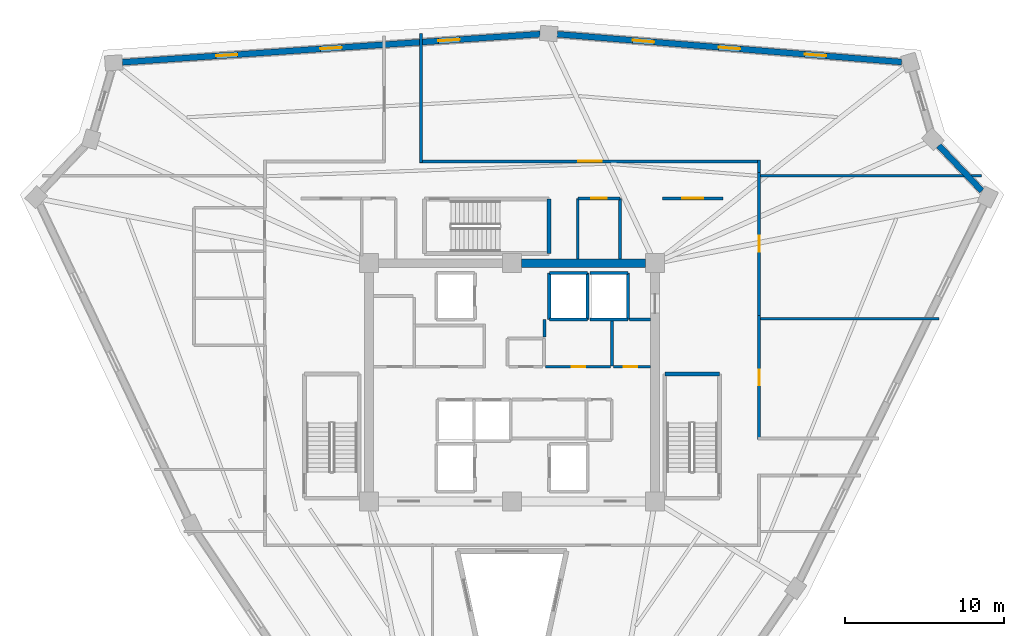
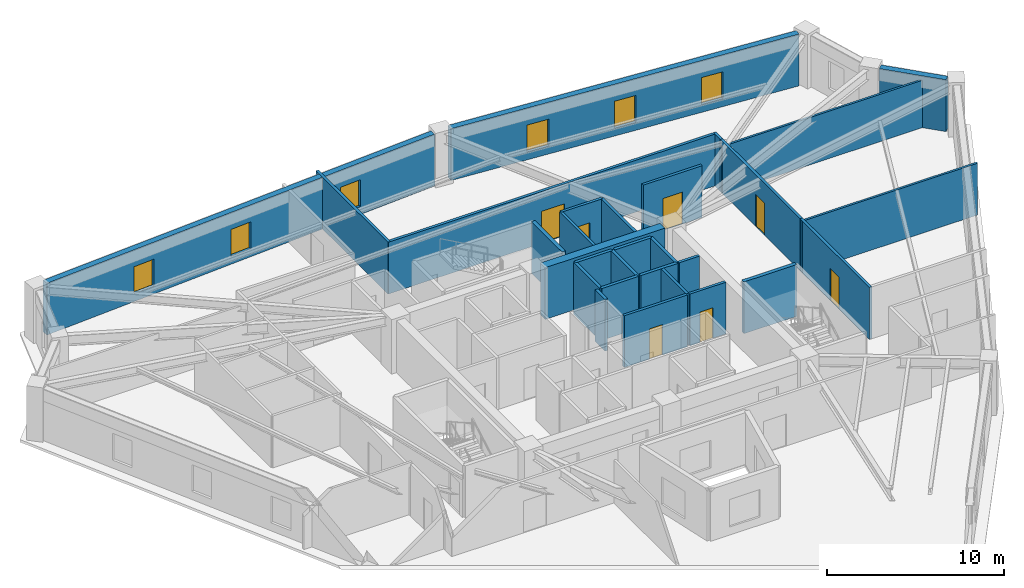
# One storey, part 6 of 8: 29 walls, 7 doors, 6 windows, 13 openings.
"""IFC4 building model written with IfcOpenShell, lengths in metres."""

import ifcopenshell
import ifcopenshell.guid

model = None  # the IFC model being written
_history = None  # IfcOwnerHistory: only IFC2X3 demands one
_inside = {}  # id of a spatial element -> (the spatial element, [elements in it])
_under = {}  # id of a project, library or spatial element -> (it, [spatial elements below it])
_declared = {}  # id of a project -> (the project, [libraries it declares])
_typed = {}  # id of a type object -> (the type object, [elements of that type])
_made_of = {}  # id of a material, layer set ... -> (it, [elements and type objects made of it])


def new_model(schema):
    """Start an empty IFC model of exactly this schema.

    Asked for "IFC4X3", IfcOpenShell would pick the latest addendum, in which some entities
    have other attributes; the version numbers below select the first issue.
    IFC2X3 requires an IfcOwnerHistory on every rooted entity: one is made here for all.
    """
    global model, _history
    if schema == "IFC4X3":
        model = ifcopenshell.file(schema_version=(4, 3, 0, 0))
    else:
        model = ifcopenshell.file(schema=schema)
    _inside.clear()
    _under.clear()
    _declared.clear()
    _typed.clear()
    _made_of.clear()
    _history = None
    if model.schema == "IFC2X3":
        org = make("IfcOrganization", Name="unknown")
        user = make(
            "IfcPersonAndOrganization",
            ThePerson=make("IfcPerson", FamilyName="unknown"),
            TheOrganization=org,
        )
        app = make(
            "IfcApplication",
            ApplicationDeveloper=org,
            Version="unknown",
            ApplicationFullName="unknown",
            ApplicationIdentifier="unknown",
        )
        _history = make(
            "IfcOwnerHistory",
            OwningUser=user,
            OwningApplication=app,
            ChangeAction="ADDED",
            CreationDate=0,
        )
    return model


def make(cls, **values):
    """One entity of the class cls with the attributes given. An attribute that is None is left unset."""
    return model.create_entity(
        cls, **{name: value for name, value in values.items() if value is not None}
    )


def rooted(cls, **values):
    """An entity with a GlobalId (a new one), such as an element, a storey or a relation."""
    return make(cls, GlobalId=ifcopenshell.guid.new(), OwnerHistory=_history, **values)


def si_unit(unit_type, name, prefix=None):
    """IfcSIUnit, for example si_unit("LENGTHUNIT", "METRE", prefix="MILLI")."""
    return make("IfcSIUnit", UnitType=unit_type, Prefix=prefix, Name=name)


def assignment(units):
    """IfcUnitAssignment: the units of a project."""
    return None if units is None else make("IfcUnitAssignment", Units=units)


def point(xyz):
    """IfcCartesianPoint."""
    return None if xyz is None else make("IfcCartesianPoint", Coordinates=xyz)


def direction(xyz):
    """IfcDirection."""
    return None if xyz is None else make("IfcDirection", DirectionRatios=xyz)


def frame(location, z_axis=None, x_axis=None):
    """IfcAxis2Placement3D, a coordinate frame: its origin and axes. An axis left out is left unset."""
    return make(
        "IfcAxis2Placement3D",
        Location=point(location),
        Axis=direction(z_axis),
        RefDirection=direction(x_axis),
    )


def frame_2d(location, x_axis=None):
    """IfcAxis2Placement2D, a coordinate frame in the plane: its origin and x axis."""
    return make(
        "IfcAxis2Placement2D", Location=point(location), RefDirection=direction(x_axis)
    )


def origin():
    """The frame at (0, 0, 0) with its axes left unset."""
    return frame((0.0, 0.0, 0.0))


def place(relative_to, where):
    """IfcLocalPlacement: puts the frame where relative to a parent placement (None: the world)."""
    return make(
        "IfcLocalPlacement", PlacementRelTo=relative_to, RelativePlacement=where
    )


def context(
    kind, dimensions, precision=None, world=None, true_north=None, identifier=None
):
    """IfcGeometricRepresentationContext, for example the 3D "Model" context."""
    return make(
        "IfcGeometricRepresentationContext",
        ContextIdentifier=identifier,
        ContextType=kind,
        CoordinateSpaceDimension=dimensions,
        Precision=precision,
        WorldCoordinateSystem=world,
        TrueNorth=true_north,
    )


def subcontext(parent, identifier, kind, view, scale=None):
    """IfcGeometricRepresentationSubContext, for example "Body" below "Model"."""
    return make(
        "IfcGeometricRepresentationSubContext",
        ContextIdentifier=identifier,
        ContextType=kind,
        ParentContext=parent,
        TargetScale=scale,
        TargetView=view,
    )


def project(units=None, contexts=None):
    """IfcProject with its units and contexts."""
    return rooted(
        "IfcProject",
        Name="project",
        RepresentationContexts=contexts,
        UnitsInContext=assignment(units),
    )


def spatial(cls, under=None, at=None, **own):
    """A site, building, storey or space (cls), placed at a placement, below another one or the project."""
    s = rooted(cls, ObjectPlacement=at, **own)
    if under is not None:
        _under.setdefault(under.id(), (under, []))[1].append(s)
    return s


def profile(cls, at=None, kind="AREA", **sizes):
    """A parametric profile (cls). Its sizes go by their IFC names, for example OverallWidth=200.0."""
    return make(cls, ProfileType=kind, Position=at, **sizes)


def rectangle(**sizes):
    """IfcRectangleProfileDef."""
    return profile("IfcRectangleProfileDef", **sizes)


def extrude(swept, where, along, depth):
    """IfcExtrudedAreaSolid: the profile swept, set in the frame where, extruded along a direction by depth."""
    return make(
        "IfcExtrudedAreaSolid",
        SweptArea=swept,
        Position=where,
        ExtrudedDirection=direction(along),
        Depth=depth,
    )


def shape(context_of_items, identifier, shape_type, items):
    """IfcShapeRepresentation: the items that make up one representation, for example the "Body"."""
    return make(
        "IfcShapeRepresentation",
        ContextOfItems=context_of_items,
        RepresentationIdentifier=identifier,
        RepresentationType=shape_type,
        Items=items,
    )


def source(mapping_origin, context_of_items, identifier, shape_type, items):
    """IfcRepresentationMap: a shape defined once, which mapped items show again and again."""
    return make(
        "IfcRepresentationMap",
        MappingOrigin=mapping_origin,
        MappedRepresentation=shape(context_of_items, identifier, shape_type, items),
    )


def transform(
    local_origin,
    x_axis=None,
    y_axis=None,
    z_axis=None,
    scale=None,
    scale2=None,
    scale3=None,
    uniform=True,
):
    """IfcCartesianTransformationOperator3D, or its non-uniform kind. x_axis, y_axis, z_axis: its Axis1, 2, 3."""
    if uniform:
        return make(
            "IfcCartesianTransformationOperator3D",
            Axis1=direction(x_axis),
            Axis2=direction(y_axis),
            LocalOrigin=point(local_origin),
            Scale=scale,
            Axis3=direction(z_axis),
        )
    return make(
        "IfcCartesianTransformationOperator3DnonUniform",
        Axis1=direction(x_axis),
        Axis2=direction(y_axis),
        LocalOrigin=point(local_origin),
        Scale=scale,
        Axis3=direction(z_axis),
        Scale2=scale2,
        Scale3=scale3,
    )


def mapped(mapping_source, mapping_target):
    """IfcMappedItem: shows the shape of a source again, moved by a transform."""
    return make(
        "IfcMappedItem", MappingSource=mapping_source, MappingTarget=mapping_target
    )


def material(Name=None, Category=None):
    """IfcMaterial."""
    return make("IfcMaterial", Name=Name, Category=Category)


def layer(
    of_material, thickness, ventilated=None, Name=None, Category=None, Priority=None
):
    """IfcMaterialLayer: one layer of a wall or slab, of a material (None: an air gap)."""
    return make(
        "IfcMaterialLayer",
        Material=of_material,
        LayerThickness=thickness,
        IsVentilated=ventilated,
        Name=Name,
        Category=Category,
        Priority=Priority,
    )


def layer_set(layers, Name=None):
    """IfcMaterialLayerSet."""
    return make("IfcMaterialLayerSet", MaterialLayers=layers, LayerSetName=Name)


def made_of(thing, what):
    """Note that an element or type object is made of a material, layer set ...; save() writes the relation."""
    if what is not None:
        _made_of.setdefault(what.id(), (what, []))[1].append(thing)
    return thing


def type_object(cls, material=None, **own):
    """A type object (cls), such as IfcWallType, which elements share."""
    return made_of(rooted(cls, **own), material)


def element(
    cls,
    number,
    at=None,
    inside=None,
    cuts=None,
    type_object=None,
    material=None,
    context=None,
    identifier="Body",
    shape_type=None,
    held_by="IfcProductDefinitionShape",
    body=None,
    shapes=None,
    **own,
):
    """One element of the class cls, such as IfcWall. Its Tag is "e" and its number.

    at: its placement. inside: the storey or other place that contains it. cuts: it is an
    opening in that element (IfcRelVoidsElement). A single representation is given by context,
    identifier, shape_type and body (its items); several are given by shapes. held_by: the class
    of the entity that holds the representations. save() writes the other relations.
    """
    e = rooted(cls, Tag="e%d" % number, ObjectPlacement=at, **own)
    if body is not None:
        shapes = [shape(context, identifier, shape_type, body)]
    if shapes is not None:
        e.Representation = make(held_by, Representations=shapes)
    if inside is not None:
        _inside.setdefault(inside.id(), (inside, []))[1].append(e)
    if cuts is not None:
        rooted(
            "IfcRelVoidsElement", RelatingBuildingElement=cuts, RelatedOpeningElement=e
        )
    if type_object is not None:
        _typed.setdefault(type_object.id(), (type_object, []))[1].append(e)
    return made_of(e, material)


def fill(opening, filler):
    """IfcRelFillsElement: the door or window that sits in an opening."""
    return rooted(
        "IfcRelFillsElement",
        RelatingOpeningElement=opening,
        RelatedBuildingElement=filler,
    )


def aggregate(whole, parts):
    """IfcRelAggregates: a whole, such as a stair, and the parts it consists of."""
    return rooted("IfcRelAggregates", RelatingObject=whole, RelatedObjects=parts)


def save(model, path):
    """Write the relations noted so far, then the file.

    IfcRelAggregates (storeys below a building ...), IfcRelContainedInSpatialStructure (elements
    in a storey), IfcRelDefinesByType, IfcRelAssociatesMaterial and IfcRelDeclares: one each for
    every whole, place, type object, material and project.
    """
    for whole, parts in _under.values():
        aggregate(whole, parts)
    for where, things in _inside.values():
        rooted(
            "IfcRelContainedInSpatialStructure",
            RelatedElements=things,
            RelatingStructure=where,
        )
    for kind, things in _typed.values():
        rooted("IfcRelDefinesByType", RelatedObjects=things, RelatingType=kind)
    for what, things in _made_of.values():
        rooted("IfcRelAssociatesMaterial", RelatedObjects=things, RelatingMaterial=what)
    for by, libraries in _declared.values():
        rooted("IfcRelDeclares", RelatingContext=by, RelatedDefinitions=libraries)
    model.write(path)


model = new_model("IFC4")

# Units and contexts
model_context = context("Model", 3, precision=1e-05, world=origin(), true_north=direction((0.0, 1.0)))
body_context = subcontext(model_context, "Body", "Model", "MODEL_VIEW")
ifc_project = project(units=[si_unit("LENGTHUNIT", "METRE"), si_unit("AREAUNIT", "SQUARE_METRE"), si_unit("VOLUMEUNIT", "CUBIC_METRE"), si_unit("PLANEANGLEUNIT", "RADIAN"), si_unit("MASSUNIT", "GRAM", prefix="KILO")], contexts=[model_context])

# Site, building, storey
site_placement = place(None, origin())
site = spatial("IfcSite", under=ifc_project, at=site_placement, CompositionType="ELEMENT")
building_placement = place(site_placement, origin())
building = spatial("IfcBuilding", under=site, at=building_placement, Name="Liaohun Quay Tower", CompositionType="ELEMENT")
storey_placement = place(building_placement, frame((0.0, 0.0, 316.5)))
storey = spatial("IfcBuildingStorey", under=building, at=storey_placement, Name="L82", CompositionType="ELEMENT", Elevation=316.5)

# Walls
ifc_material_1 = material(Name="Concrete C50", Category="concrete")
ifc_layer_1 = layer(ifc_material_1, 0.550048828125, Name="Concrete C50", Category="concrete")
ifc_layer_set_1 = layer_set([ifc_layer_1], Name="Concrete C50")
wall_type_1 = type_object("IfcWallType", Name="WAL-COR-Z4", PredefinedType="SHEAR", material=ifc_layer_set_1)
wall_1_placement = place(storey_placement, frame((60.60009765625, 61.5, 0.0), z_axis=(0.0, 0.0, 1.0), x_axis=(1.0, 0.0, 0.0)))
element("IfcWall", 1, at=wall_1_placement, inside=storey, type_object=wall_type_1, Name="L82 Central Core Shear Wall N-E", PredefinedType="SHEAR", context=body_context, shape_type="SweptSolid", body=[
    extrude(rectangle(XDim=7.7998046875, YDim=0.550048828125, at=frame_2d((3.89990234375, 0.0))), origin(), (0.0, 0.0, 1.0), 3.570068359375),
])
ifc_material_2 = material(Name="Precast concrete C50 insulated sandwich", Category="concrete")
ifc_layer_2 = layer(ifc_material_2, 0.3798828125, Name="Precast concrete C50 insulated sandwich", Category="concrete")
ifc_layer_set_2 = layer_set([ifc_layer_2], Name="Precast concrete C50 insulated sandwich")
wall_type_2 = type_object("IfcWallType", Name="WAL-EXT-Z34", PredefinedType="SOLIDWALL", material=ifc_layer_set_2)
wall_2_placement = place(storey_placement, frame((89.580078125, 66.052001953125, 0.0), z_axis=(0.0, 0.0, 1.0), x_axis=(-0.689378051653, 0.724401754484, 0.0)))
element("IfcWall", 2, at=wall_2_placement, inside=storey, type_object=wall_type_2, Name="L82 Brutalist Precast Pier Wall 04", PredefinedType="SOLIDWALL", context=body_context, shape_type="SweptSolid", body=[
    extrude(rectangle(XDim=3.9384765625, YDim=0.3798828125, at=frame_2d((1.96923828125, 0.0))), origin(), (0.0, 0.0, 1.0), 3.570068359375),
])

# Wall, openings, windows
wall_3_placement = place(storey_placement, frame((84.534912109375, 74.159912109375, 0.0), z_axis=(0.0, 0.0, 1.0), x_axis=(-0.996748682723, 0.080573342308, 0.0)))
wall_3 = element("IfcWall", 3, at=wall_3_placement, inside=storey, type_object=wall_type_2, Name="L82 Brutalist Precast Pier Wall 06", PredefinedType="SOLIDWALL", context=body_context, shape_type="SweptSolid", body=[
    extrude(rectangle(XDim=21.7587890625, YDim=0.3798828125, at=frame_2d((10.87939453125, 0.0))), origin(), (0.0, 0.0, 1.0), 3.570068359375),
])
shared_shape_1 = source(origin(), body_context, "Body", "SweptSolid", [
    extrude(rectangle(XDim=1.35009765625, YDim=1.85009765625, at=frame_2d((0.675048828125, 0.925048828125))), frame((0.0, 0.199951171875, 0.0), z_axis=(0.0, -1.0, 0.0), x_axis=(1.0, 0.0, 0.0)), (0.0, 0.0, 1.0), 0.39990234375),
])
opening_1_placement = place(wall_3_placement, frame((4.764892578125, 0.0, 0.550048828125)))
opening_1 = element("IfcOpeningElement", 4, at=opening_1_placement, cuts=wall_3, Name="Opening W04", PredefinedType="OPENING", context=body_context, shape_type="MappedRepresentation", body=[
    mapped(shared_shape_1, transform((0.0, 0.0, 0.0), x_axis=(1.0, 0.0, 0.0), y_axis=(0.0, 1.0, 0.0), z_axis=(0.0, 0.0, 1.0), scale=1.0)),
])
opening_2_placement = place(wall_3_placement, frame((10.2041015625, 0.0, 0.550048828125)))
opening_2 = element("IfcOpeningElement", 5, at=opening_2_placement, cuts=wall_3, Name="Opening W04", PredefinedType="OPENING", context=body_context, shape_type="MappedRepresentation", body=[
    mapped(shared_shape_1, transform((0.0, 0.0, 0.0), x_axis=(1.0, 0.0, 0.0), y_axis=(0.0, 1.0, 0.0), z_axis=(0.0, 0.0, 1.0), scale=1.0)),
])
opening_3_placement = place(wall_3_placement, frame((15.64404296875, 0.0, 0.550048828125)))
opening_3 = element("IfcOpeningElement", 6, at=opening_3_placement, cuts=wall_3, Name="Opening W04", PredefinedType="OPENING", context=body_context, shape_type="MappedRepresentation", body=[
    mapped(shared_shape_1, transform((0.0, 0.0, 0.0), x_axis=(1.0, 0.0, 0.0), y_axis=(0.0, 1.0, 0.0), z_axis=(0.0, 0.0, 1.0), scale=1.0)),
])
ifc_material_3 = material(Name="Triple Low-E argon glazing in thermally broken aluminium", Category="aluminium")
window_type = type_object("IfcWindowType", Name="WIN-PUN-Z4", PartitioningType="SINGLE_PANEL", PredefinedType="WINDOW", material=ifc_material_3)
shared_shape_2 = source(origin(), body_context, "Body", "SweptSolid", [
    extrude(rectangle(XDim=1.35009765625, YDim=1.85009765625, at=frame_2d((0.675048828125, 0.925048828125))), frame((0.0, 0.030029296875, 0.0), z_axis=(0.0, -1.0, 0.0), x_axis=(1.0, 0.0, 0.0)), (0.0, 0.0, 1.0), 0.06005859375),
])
window_1_placement = place(opening_1_placement, origin())
window_1 = element("IfcWindow", 7, at=window_1_placement, inside=storey, type_object=window_type, Name="L82 Recessed Cold-Climate Punched Window 06-1", OverallHeight=1.85009765625, OverallWidth=1.35009765625, PartitioningType="SINGLE_PANEL", PredefinedType="WINDOW", context=body_context, shape_type="MappedRepresentation", body=[
    mapped(shared_shape_2, transform((0.0, 0.0, 0.0), x_axis=(1.0, 0.0, 0.0), y_axis=(0.0, 1.0, 0.0), z_axis=(0.0, 0.0, 1.0), scale=1.0)),
])
fill(opening_1, window_1)
window_2_placement = place(opening_2_placement, origin())
window_2 = element("IfcWindow", 8, at=window_2_placement, inside=storey, type_object=window_type, Name="L82 Recessed Cold-Climate Punched Window 06-2", OverallHeight=1.85009765625, OverallWidth=1.35009765625, PartitioningType="SINGLE_PANEL", PredefinedType="WINDOW", context=body_context, shape_type="MappedRepresentation", body=[
    mapped(shared_shape_2, transform((0.0, 0.0, 0.0), x_axis=(1.0, 0.0, 0.0), y_axis=(0.0, 1.0, 0.0), z_axis=(0.0, 0.0, 1.0), scale=1.0)),
])
fill(opening_2, window_2)
window_3_placement = place(opening_3_placement, origin())
window_3 = element("IfcWindow", 9, at=window_3_placement, inside=storey, type_object=window_type, Name="L82 Recessed Cold-Climate Punched Window 06-3", OverallHeight=1.85009765625, OverallWidth=1.35009765625, PartitioningType="SINGLE_PANEL", PredefinedType="WINDOW", context=body_context, shape_type="MappedRepresentation", body=[
    mapped(shared_shape_2, transform((0.0, 0.0, 0.0), x_axis=(1.0, 0.0, 0.0), y_axis=(0.0, 1.0, 0.0), z_axis=(0.0, 0.0, 1.0), scale=1.0)),
])
fill(opening_3, window_3)

wall_4_placement = place(storey_placement, frame((61.77001953125, 75.919921875, 0.0), z_axis=(0.0, 0.0, 1.0), x_axis=(-0.997731532318, -0.067318566668, 0.0)))
wall_4 = element("IfcWall", 10, at=wall_4_placement, inside=storey, type_object=wall_type_2, Name="L82 Brutalist Precast Pier Wall 07", PredefinedType="SOLIDWALL", context=body_context, shape_type="SweptSolid", body=[
    extrude(rectangle(XDim=26.36572265625, YDim=0.3798828125, at=frame_2d((13.182861328125, 0.0))), origin(), (0.0, 0.0, 1.0), 3.570068359375),
])
opening_4_placement = place(wall_4_placement, frame((5.06591796875, 0.0, 0.550048828125)))
opening_4 = element("IfcOpeningElement", 11, at=opening_4_placement, cuts=wall_4, Name="Opening W04", PredefinedType="OPENING", context=body_context, shape_type="MappedRepresentation", body=[
    mapped(shared_shape_1, transform((0.0, 0.0, 0.0), x_axis=(1.0, 0.0, 0.0), y_axis=(0.0, 1.0, 0.0), z_axis=(0.0, 0.0, 1.0), scale=1.0)),
])
opening_5_placement = place(wall_4_placement, frame((12.508056640625, 0.0, 0.550048828125)))
opening_5 = element("IfcOpeningElement", 12, at=opening_5_placement, cuts=wall_4, Name="Opening W04", PredefinedType="OPENING", context=body_context, shape_type="MappedRepresentation", body=[
    mapped(shared_shape_1, transform((0.0, 0.0, 0.0), x_axis=(1.0, 0.0, 0.0), y_axis=(0.0, 1.0, 0.0), z_axis=(0.0, 0.0, 1.0), scale=1.0)),
])
opening_6_placement = place(wall_4_placement, frame((19.09912109375, 0.0, 0.550048828125)))
opening_6 = element("IfcOpeningElement", 13, at=opening_6_placement, cuts=wall_4, Name="Opening W04", PredefinedType="OPENING", context=body_context, shape_type="MappedRepresentation", body=[
    mapped(shared_shape_1, transform((0.0, 0.0, 0.0), x_axis=(1.0, 0.0, 0.0), y_axis=(0.0, 1.0, 0.0), z_axis=(0.0, 0.0, 1.0), scale=1.0)),
])
window_4_placement = place(opening_4_placement, origin())
window_4 = element("IfcWindow", 14, at=window_4_placement, inside=storey, type_object=window_type, Name="L82 Recessed Cold-Climate Punched Window 07-1", OverallHeight=1.85009765625, OverallWidth=1.35009765625, PartitioningType="SINGLE_PANEL", PredefinedType="WINDOW", context=body_context, shape_type="MappedRepresentation", body=[
    mapped(shared_shape_2, transform((0.0, 0.0, 0.0), x_axis=(1.0, 0.0, 0.0), y_axis=(0.0, 1.0, 0.0), z_axis=(0.0, 0.0, 1.0), scale=1.0)),
])
fill(opening_4, window_4)
window_5_placement = place(opening_5_placement, origin())
window_5 = element("IfcWindow", 15, at=window_5_placement, inside=storey, type_object=window_type, Name="L82 Recessed Cold-Climate Punched Window 07-2", OverallHeight=1.85009765625, OverallWidth=1.35009765625, PartitioningType="SINGLE_PANEL", PredefinedType="WINDOW", context=body_context, shape_type="MappedRepresentation", body=[
    mapped(shared_shape_2, transform((0.0, 0.0, 0.0), x_axis=(1.0, 0.0, 0.0), y_axis=(0.0, 1.0, 0.0), z_axis=(0.0, 0.0, 1.0), scale=1.0)),
])
fill(opening_5, window_5)
window_6_placement = place(opening_6_placement, origin())
window_6 = element("IfcWindow", 16, at=window_6_placement, inside=storey, type_object=window_type, Name="L82 Recessed Cold-Climate Punched Window 07-3", OverallHeight=1.85009765625, OverallWidth=1.35009765625, PartitioningType="SINGLE_PANEL", PredefinedType="WINDOW", context=body_context, shape_type="MappedRepresentation", body=[
    mapped(shared_shape_2, transform((0.0, 0.0, 0.0), x_axis=(1.0, 0.0, 0.0), y_axis=(0.0, 1.0, 0.0), z_axis=(0.0, 0.0, 1.0), scale=1.0)),
])
fill(opening_6, window_6)

# Wall, opening, door
ifc_material_4 = material(Name="Autoclaved aerated concrete blockwork", Category="masonry")
ifc_layer_3 = layer(ifc_material_4, 0.179931640625, Name="Autoclaved aerated concrete blockwork", Category="masonry")
ifc_layer_set_3 = layer_set([ifc_layer_3], Name="Autoclaved aerated concrete blockwork")
wall_type_3 = type_object("IfcWallType", Name="WAL-PRT-COR", PredefinedType="PARTITIONING", material=ifc_layer_set_3)
wall_5_placement = place(storey_placement, frame((62.10009765625, 54.97998046875, 0.0), z_axis=(0.0, 0.0, 1.0), x_axis=(1.0, 0.0, 0.0)))
wall_5 = element("IfcWall", 17, at=wall_5_placement, inside=storey, type_object=wall_type_3, Name="L82 Interior Partition Wall 004", PredefinedType="PARTITIONING", context=body_context, shape_type="SweptSolid", body=[
    extrude(rectangle(XDim=4.10986328125, YDim=0.179931640625, at=frame_2d((2.054931640625, 0.0))), origin(), (0.0, 0.0, 1.0), 3.570068359375),
])
shared_shape_3 = source(origin(), body_context, "Body", "SweptSolid", [
    extrude(rectangle(XDim=0.85009765625, YDim=2.10009765625, at=frame_2d((0.425048828125, 1.050048828125))), frame((0.0, 0.099853515625, 0.0), z_axis=(0.0, -1.0, 0.0), x_axis=(1.0, 0.0, 0.0)), (0.0, 0.0, 1.0), 0.199951171875),
])
opening_7_placement = place(wall_5_placement, frame((1.64990234375, 0.0, 0.0)))
opening_7 = element("IfcOpeningElement", 18, at=opening_7_placement, cuts=wall_5, Name="Opening AD1", PredefinedType="OPENING", context=body_context, shape_type="MappedRepresentation", body=[
    mapped(shared_shape_3, transform((0.0, 0.0, 0.0), x_axis=(1.0, 0.0, 0.0), y_axis=(0.0, 1.0, 0.0), z_axis=(0.0, 0.0, 1.0), scale=1.0)),
])
ifc_material_5 = material(Name="Steel riser inspection fire door", Category="steel")
door_type_1 = type_object("IfcDoorType", Name="DOR-SHF-850", OperationType="NOTDEFINED", PredefinedType="DOOR", material=ifc_material_5)
shared_shape_4 = source(origin(), body_context, "Body", "SweptSolid", [
    extrude(rectangle(XDim=0.85009765625, YDim=2.10009765625, at=frame_2d((0.425048828125, 1.050048828125))), frame((0.0, 0.02490234375, 0.0), z_axis=(0.0, -1.0, 0.0), x_axis=(1.0, 0.0, 0.0)), (0.0, 0.0, 1.0), 0.050048828125),
])
door_1_placement = place(opening_7_placement, origin())
door_1 = element("IfcDoor", 19, at=door_1_placement, inside=storey, type_object=door_type_1, Name="L82 Core Metering Closet Door", OperationType="SINGLE_SWING_RIGHT", OverallHeight=2.10009765625, OverallWidth=0.85009765625, PredefinedType="DOOR", context=body_context, shape_type="MappedRepresentation", body=[
    mapped(shared_shape_4, transform((0.0, 0.0, 0.0), x_axis=(1.0, 0.0, 0.0), y_axis=(0.0, 1.0, 0.0), z_axis=(0.0, 0.0, 1.0), scale=1.0)),
])
fill(opening_7, door_1)

wall_6_placement = place(storey_placement, frame((66.389892578125, 54.97998046875, 0.0), z_axis=(0.0, 0.0, 1.0), x_axis=(1.0, 0.0, 0.0)))
wall_6 = element("IfcWall", 20, at=wall_6_placement, inside=storey, type_object=wall_type_3, Name="L82 Interior Partition Wall 005", PredefinedType="PARTITIONING", context=body_context, shape_type="SweptSolid", body=[
    extrude(rectangle(XDim=2.335205078125, YDim=0.179931640625, at=frame_2d((1.16748046875, 0.0))), origin(), (0.0, 0.0, 1.0), 3.570068359375),
])
opening_8_placement = place(wall_6_placement, frame((0.64990234375, 0.0, 0.0)))
opening_8 = element("IfcOpeningElement", 21, at=opening_8_placement, cuts=wall_6, Name="Opening AD1", PredefinedType="OPENING", context=body_context, shape_type="MappedRepresentation", body=[
    mapped(shared_shape_3, transform((0.0, 0.0, 0.0), x_axis=(1.0, 0.0, 0.0), y_axis=(0.0, 1.0, 0.0), z_axis=(0.0, 0.0, 1.0), scale=1.0)),
])
door_2_placement = place(opening_8_placement, origin())
door_2 = element("IfcDoor", 22, at=door_2_placement, inside=storey, type_object=door_type_1, Name="L82 Core Janitor Store Door", OperationType="SINGLE_SWING_LEFT", OverallHeight=2.10009765625, OverallWidth=0.85009765625, PredefinedType="DOOR", context=body_context, shape_type="MappedRepresentation", body=[
    mapped(shared_shape_4, transform((0.0, 0.0, 0.0), x_axis=(1.0, 0.0, 0.0), y_axis=(0.0, 1.0, 0.0), z_axis=(0.0, 0.0, 1.0), scale=1.0)),
])
fill(opening_8, door_2)

wall_7_placement = place(storey_placement, frame((64.139892578125, 65.580078125, 0.0), z_axis=(0.0, 0.0, 1.0), x_axis=(1.0, 0.0, 0.0)))
wall_7 = element("IfcWall", 23, at=wall_7_placement, inside=storey, type_object=wall_type_3, Name="L82 Interior Partition Wall 012", PredefinedType="PARTITIONING", context=body_context, shape_type="SweptSolid", body=[
    extrude(rectangle(XDim=2.670166015625, YDim=0.179931640625, at=frame_2d((1.3349609375, 0.0))), origin(), (0.0, 0.0, 1.0), 3.570068359375),
])
shared_shape_5 = source(origin(), body_context, "Body", "SweptSolid", [
    extrude(rectangle(XDim=1.0, YDim=2.199951171875, at=frame_2d((0.5, 1.10009765625))), frame((0.0, 0.099853515625, 0.0), z_axis=(0.0, -1.0, 0.0), x_axis=(1.0, 0.0, 0.0)), (0.0, 0.0, 1.0), 0.199951171875),
])
opening_9_placement = place(wall_7_placement, frame((0.8349609375, 0.0, 0.0)))
opening_9 = element("IfcOpeningElement", 24, at=opening_9_placement, cuts=wall_7, Name="Opening OD1", PredefinedType="OPENING", context=body_context, shape_type="MappedRepresentation", body=[
    mapped(shared_shape_5, transform((0.0, 0.0, 0.0), x_axis=(1.0, 0.0, 0.0), y_axis=(0.0, 1.0, 0.0), z_axis=(0.0, 0.0, 1.0), scale=1.0)),
])
ifc_material_6 = material(Name="Solid-core oak veneer timber leaf in steel frame", Category="steel")
door_type_2 = type_object("IfcDoorType", Name="DOR-OFF-1000", OperationType="NOTDEFINED", PredefinedType="DOOR", material=ifc_material_6)
shared_shape_6 = source(origin(), body_context, "Body", "SweptSolid", [
    extrude(rectangle(XDim=1.0, YDim=2.199951171875, at=frame_2d((0.5, 1.10009765625))), frame((0.0, 0.02490234375, 0.0), z_axis=(0.0, -1.0, 0.0), x_axis=(1.0, 0.0, 0.0)), (0.0, 0.0, 1.0), 0.050048828125),
])
door_3_placement = place(opening_9_placement, origin())
door_3 = element("IfcDoor", 25, at=door_3_placement, inside=storey, type_object=door_type_2, Name="L82 North-East Server Closet Door", OperationType="SINGLE_SWING_RIGHT", OverallHeight=2.199951171875, OverallWidth=1.0, PredefinedType="DOOR", context=body_context, shape_type="MappedRepresentation", body=[
    mapped(shared_shape_6, transform((0.0, 0.0, 0.0), x_axis=(1.0, 0.0, 0.0), y_axis=(0.0, 1.0, 0.0), z_axis=(0.0, 0.0, 1.0), scale=1.0)),
])
fill(opening_9, door_3)

wall_8_placement = place(storey_placement, frame((69.4599609375, 65.580078125, 0.0), z_axis=(0.0, 0.0, 1.0), x_axis=(1.0, 0.0, 0.0)))
wall_8 = element("IfcWall", 26, at=wall_8_placement, inside=storey, type_object=wall_type_3, Name="L82 Interior Partition Wall 014", PredefinedType="PARTITIONING", context=body_context, shape_type="SweptSolid", body=[
    extrude(rectangle(XDim=3.840087890625, YDim=0.179931640625, at=frame_2d((1.919921875, 0.0))), origin(), (0.0, 0.0, 1.0), 3.570068359375),
])
shared_shape_7 = source(origin(), body_context, "Body", "SweptSolid", [
    extrude(rectangle(XDim=1.300048828125, YDim=2.199951171875, at=frame_2d((0.64990234375, 1.10009765625))), frame((0.0, 0.099853515625, 0.0), z_axis=(0.0, -1.0, 0.0), x_axis=(1.0, 0.0, 0.0)), (0.0, 0.0, 1.0), 0.199951171875),
])
opening_10_placement = place(wall_8_placement, frame((1.27001953125, 0.0, 0.0)))
opening_10 = element("IfcOpeningElement", 27, at=opening_10_placement, cuts=wall_8, Name="Opening FD1", PredefinedType="OPENING", context=body_context, shape_type="MappedRepresentation", body=[
    mapped(shared_shape_7, transform((0.0, 0.0, 0.0), x_axis=(1.0, 0.0, 0.0), y_axis=(0.0, 1.0, 0.0), z_axis=(0.0, 0.0, 1.0), scale=1.0)),
])
ifc_material_7 = material(Name="Galvanised steel smokeproof fire door", Category="steel")
door_type_3 = type_object("IfcDoorType", Name="DOR-FFL-1300", OperationType="NOTDEFINED", PredefinedType="DOOR", material=ifc_material_7)
shared_shape_8 = source(origin(), body_context, "Body", "SweptSolid", [
    extrude(rectangle(XDim=1.300048828125, YDim=2.199951171875, at=frame_2d((0.64990234375, 1.10009765625))), frame((0.0, 0.02490234375, 0.0), z_axis=(0.0, -1.0, 0.0), x_axis=(1.0, 0.0, 0.0)), (0.0, 0.0, 1.0), 0.050048828125),
])
door_4_placement = place(opening_10_placement, origin())
door_4 = element("IfcDoor", 28, at=door_4_placement, inside=storey, type_object=door_type_3, Name="L82 East Core Vestibule Door", OperationType="SINGLE_SWING_RIGHT", OverallHeight=2.199951171875, OverallWidth=1.300048828125, PredefinedType="DOOR", context=body_context, shape_type="MappedRepresentation", body=[
    mapped(shared_shape_8, transform((0.0, 0.0, 0.0), x_axis=(1.0, 0.0, 0.0), y_axis=(0.0, 1.0, 0.0), z_axis=(0.0, 0.0, 1.0), scale=1.0)),
])
fill(opening_10, door_4)

wall_9_placement = place(storey_placement, frame((75.56005859375, 58.215087890625, 0.0), z_axis=(0.0, 0.0, 1.0), x_axis=(0.0, -1.0, 0.0)))
wall_9 = element("IfcWall", 29, at=wall_9_placement, inside=storey, type_object=wall_type_3, Name="L82 Interior Partition Wall 015", PredefinedType="PARTITIONING", context=body_context, shape_type="SweptSolid", body=[
    extrude(rectangle(XDim=7.8251953125, YDim=0.179931640625, at=frame_2d((3.91259765625, 0.0))), origin(), (0.0, 0.0, 1.0), 3.570068359375),
])
opening_11_placement = place(wall_9_placement, frame((3.4130859375, 0.0, 0.0)))
opening_11 = element("IfcOpeningElement", 30, at=opening_11_placement, cuts=wall_9, Name="Opening OD1", PredefinedType="OPENING", context=body_context, shape_type="MappedRepresentation", body=[
    mapped(shared_shape_5, transform((0.0, 0.0, 0.0), x_axis=(1.0, 0.0, 0.0), y_axis=(0.0, 1.0, 0.0), z_axis=(0.0, 0.0, 1.0), scale=1.0)),
])
door_5_placement = place(opening_11_placement, origin())
door_5 = element("IfcDoor", 31, at=door_5_placement, inside=storey, type_object=door_type_2, Name="L82 Engineering Model Workshop 01 Door", OperationType="SINGLE_SWING_LEFT", OverallHeight=2.199951171875, OverallWidth=1.0, PredefinedType="DOOR", context=body_context, shape_type="MappedRepresentation", body=[
    mapped(shared_shape_6, transform((0.0, 0.0, 0.0), x_axis=(1.0, 0.0, 0.0), y_axis=(0.0, 1.0, 0.0), z_axis=(0.0, 0.0, 1.0), scale=1.0)),
])
fill(opening_11, door_5)

wall_10_placement = place(storey_placement, frame((75.56005859375, 67.215087890625, 0.0), z_axis=(0.0, 0.0, 1.0), x_axis=(0.0, -1.0, 0.0)))
wall_10 = element("IfcWall", 32, at=wall_10_placement, inside=storey, type_object=wall_type_3, Name="L82 Interior Partition Wall 016", PredefinedType="PARTITIONING", context=body_context, shape_type="SweptSolid", body=[
    extrude(rectangle(XDim=9.0, YDim=0.179931640625, at=frame_2d((4.5, 0.0))), origin(), (0.0, 0.0, 1.0), 3.570068359375),
])
opening_12_placement = place(wall_10_placement, frame((4.0, 0.0, 0.0)))
opening_12 = element("IfcOpeningElement", 33, at=opening_12_placement, cuts=wall_10, Name="Opening OD1", PredefinedType="OPENING", context=body_context, shape_type="MappedRepresentation", body=[
    mapped(shared_shape_5, transform((0.0, 0.0, 0.0), x_axis=(1.0, 0.0, 0.0), y_axis=(0.0, 1.0, 0.0), z_axis=(0.0, 0.0, 1.0), scale=1.0)),
])
door_6_placement = place(opening_12_placement, origin())
door_6 = element("IfcDoor", 34, at=door_6_placement, inside=storey, type_object=door_type_2, Name="L82 Corporate Exhibition Gallery 02 Door", OperationType="SINGLE_SWING_RIGHT", OverallHeight=2.199951171875, OverallWidth=1.0, PredefinedType="DOOR", context=body_context, shape_type="MappedRepresentation", body=[
    mapped(shared_shape_6, transform((0.0, 0.0, 0.0), x_axis=(1.0, 0.0, 0.0), y_axis=(0.0, 1.0, 0.0), z_axis=(0.0, 0.0, 1.0), scale=1.0)),
])
fill(opening_12, door_6)

wall_11_placement = place(storey_placement, frame((54.18994140625, 67.909912109375, 0.0), z_axis=(0.0, 0.0, 1.0), x_axis=(1.0, 0.0, 0.0)))
wall_11 = element("IfcWall", 35, at=wall_11_placement, inside=storey, type_object=wall_type_3, Name="L82 Interior Partition Wall 017", PredefinedType="PARTITIONING", context=body_context, shape_type="SweptSolid", body=[
    extrude(rectangle(XDim=21.43994140625, YDim=0.179931640625, at=frame_2d((10.719970703125, 0.0))), origin(), (0.0, 0.0, 1.0), 3.570068359375),
])
shared_shape_9 = source(origin(), body_context, "Body", "SweptSolid", [
    extrude(rectangle(XDim=1.5, YDim=2.199951171875, at=frame_2d((0.75, 1.10009765625))), frame((0.0, 0.099853515625, 0.0), z_axis=(0.0, -1.0, 0.0), x_axis=(1.0, 0.0, 0.0)), (0.0, 0.0, 1.0), 0.199951171875),
])
opening_13_placement = place(wall_11_placement, frame((9.969970703125, 0.0, 0.0)))
opening_13 = element("IfcOpeningElement", 36, at=opening_13_placement, cuts=wall_11, Name="Opening OD2", PredefinedType="OPENING", context=body_context, shape_type="MappedRepresentation", body=[
    mapped(shared_shape_9, transform((0.0, 0.0, 0.0), x_axis=(1.0, 0.0, 0.0), y_axis=(0.0, 1.0, 0.0), z_axis=(0.0, 0.0, 1.0), scale=1.0)),
])
ifc_material_8 = material(Name="Acoustic oak veneer double door")
door_type_4 = type_object("IfcDoorType", Name="DOR-OFF-1500", OperationType="DOUBLE_DOOR_SINGLE_SWING", PredefinedType="DOOR", material=ifc_material_8)
shared_shape_10 = source(origin(), body_context, "Body", "SweptSolid", [
    extrude(rectangle(XDim=1.5, YDim=2.199951171875, at=frame_2d((0.75, 1.10009765625))), frame((0.0, 0.02490234375, 0.0), z_axis=(0.0, -1.0, 0.0), x_axis=(1.0, 0.0, 0.0)), (0.0, 0.0, 1.0), 0.050048828125),
])
door_7_placement = place(opening_13_placement, origin())
door_7 = element("IfcDoor", 37, at=door_7_placement, inside=storey, type_object=door_type_4, Name="L82 Engineering Model Workshop 03 Door", OperationType="DOUBLE_DOOR_SINGLE_SWING", OverallHeight=2.199951171875, OverallWidth=1.5, PredefinedType="DOOR", context=body_context, shape_type="MappedRepresentation", body=[
    mapped(shared_shape_10, transform((0.0, 0.0, 0.0), x_axis=(1.0, 0.0, 0.0), y_axis=(0.0, 1.0, 0.0), z_axis=(0.0, 0.0, 1.0), scale=1.0)),
])
fill(opening_13, door_7)

# Walls
wall_12_placement = place(storey_placement, frame((66.300048828125, 55.02001953125, 0.0), z_axis=(0.0, 0.0, 1.0), x_axis=(0.0, 1.0, 0.0)))
element("IfcWall", 38, at=wall_12_placement, inside=storey, type_object=wall_type_3, Name="L82 Interior Partition Wall 025", PredefinedType="PARTITIONING", context=body_context, shape_type="SweptSolid", body=[
    extrude(rectangle(XDim=2.85986328125, YDim=0.179931640625, at=frame_2d((1.429931640625, 0.0))), origin(), (0.0, 0.0, 1.0), 3.570068359375),
])
for number, where, z_axis, x_axis, name in (
    (39, (64.139892578125, 61.77490234375, 0.0), (0.0, 0.0, 1.0), (0.0, 1.0, 0.0), "L82 Interior Partition Wall 039"),
    (40, (66.81005859375, 61.77490234375, 0.0), (0.0, 0.0, 1.0), (0.0, 1.0, 0.0), "L82 Interior Partition Wall 040"),
):
    element("IfcWall", number, at=place(storey_placement, frame(where, z_axis=z_axis, x_axis=x_axis)), inside=storey, type_object=wall_type_3, Name=name, PredefinedType="PARTITIONING", context=body_context, shape_type="SweptSolid", body=[
        extrude(rectangle(XDim=3.80517578125, YDim=0.179931640625, at=frame_2d((1.902587890625, 0.0))), origin(), (0.0, 0.0, 1.0), 3.570068359375),
    ])
wall_13_placement = place(storey_placement, frame((54.260009765625, 75.9541015625, 0.0), z_axis=(0.0, 0.0, 1.0), x_axis=(0.0, -1.0, 0.0)))
element("IfcWall", 41, at=wall_13_placement, inside=storey, type_object=wall_type_3, Name="L82 Interior Partition Wall 042", PredefinedType="PARTITIONING", context=body_context, shape_type="SweptSolid", body=[
    extrude(rectangle(XDim=8.114013671875, YDim=0.179931640625, at=frame_2d((4.05712890625, 0.0))), origin(), (0.0, 0.0, 1.0), 3.570068359375),
])
wall_14_placement = place(storey_placement, frame((75.56005859375, 67.97998046875, 0.0), z_axis=(0.0, 0.0, 1.0), x_axis=(0.0, -1.0, 0.0)))
element("IfcWall", 42, at=wall_14_placement, inside=storey, type_object=wall_type_3, Name="L82 Interior Partition Wall 043", PredefinedType="PARTITIONING", context=body_context, shape_type="SweptSolid", body=[
    extrude(rectangle(XDim=0.764892578125, YDim=0.179931640625, at=frame_2d((0.38232421875, 0.0))), origin(), (0.0, 0.0, 1.0), 3.570068359375),
])
wall_15_placement = place(storey_placement, frame((62.050048828125, 56.840087890625, 0.0), z_axis=(0.0, 0.0, 1.0), x_axis=(0.0, 1.0, 0.0)))
element("IfcWall", 43, at=wall_15_placement, inside=storey, type_object=wall_type_3, Name="L82 Interior Partition Wall 062", PredefinedType="PARTITIONING", context=body_context, shape_type="SweptSolid", body=[
    extrude(rectangle(XDim=1.10986328125, YDim=0.179931640625, at=frame_2d((0.554931640625, 0.0))), origin(), (0.0, 0.0, 1.0), 3.570068359375),
])
wall_16_placement = place(storey_placement, frame((67.39990234375, 57.949951171875, 0.0), z_axis=(0.0, 0.0, 1.0), x_axis=(1.0, 0.0, 0.0)))
element("IfcWall", 44, at=wall_16_placement, inside=storey, type_object=wall_type_3, Name="L82 Interior Partition Wall 063", PredefinedType="PARTITIONING", context=body_context, shape_type="SweptSolid", body=[
    extrude(rectangle(XDim=1.3251953125, YDim=0.179931640625, at=frame_2d((0.66259765625, 0.0))), origin(), (0.0, 0.0, 1.0), 3.570068359375),
])
ifc_material_9 = material(Name="Gypsum board on twin steel studs", Category="steel")
ifc_layer_4 = layer(ifc_material_9, 0.139892578125, Name="Gypsum board on twin steel studs", Category="steel")
ifc_layer_set_4 = layer_set([ifc_layer_4], Name="Gypsum board on twin steel studs")
wall_type_4 = type_object("IfcWallType", Name="WAL-PRT-OFF", PredefinedType="PARTITIONING", material=ifc_layer_set_4)
wall_17_placement = place(storey_placement, frame((75.4599609375, 58.0, 0.0), z_axis=(0.0, 0.0, 1.0), x_axis=(1.0, 0.0, 0.0)))
element("IfcWall", 45, at=wall_17_placement, inside=storey, type_object=wall_type_4, Name="L82 Interior Partition Wall 054", PredefinedType="PARTITIONING", context=body_context, shape_type="SweptSolid", body=[
    extrude(rectangle(XDim=11.43408203125, YDim=0.139892578125, at=frame_2d((5.717041015625, 0.0))), origin(), (0.0, 0.0, 1.0), 3.570068359375),
])
wall_18_placement = place(storey_placement, frame((75.4599609375, 67.0, 0.0), z_axis=(0.0, 0.0, 1.0), x_axis=(1.0, 0.0, 0.0)))
element("IfcWall", 46, at=wall_18_placement, inside=storey, type_object=wall_type_4, Name="L82 Interior Partition Wall 055", PredefinedType="PARTITIONING", context=body_context, shape_type="SweptSolid", body=[
    extrude(rectangle(XDim=14.087158203125, YDim=0.139892578125, at=frame_2d((7.04345703125, 0.0))), origin(), (0.0, 0.0, 1.0), 3.260986328125),
])
ifc_layer_5 = layer(ifc_material_1, 0.239990234375, Name="Concrete C50", Category="concrete")
ifc_layer_set_5 = layer_set([ifc_layer_5], Name="Concrete C50")
wall_type_5 = type_object("IfcWallType", Name="WAL-SHF-200", PredefinedType="SOLIDWALL", material=ifc_layer_set_5)
for number, where, z_axis, x_axis, name in (
    (47, (73.06005859375, 54.52001953125, 0.0), (0.0, 0.0, 1.0), (-1.0, 0.0, 0.0), "L82 Stairwell ST-2 Structural Core Wall N"),
    (48, (62.320068359375, 62.10009765625, 0.0), (0.0, 0.0, 1.0), (0.0, 1.0, 0.0), "L82 Stairwell ST-3 Structural Core Wall E"),
):
    element("IfcWall", number, at=place(storey_placement, frame(where, z_axis=z_axis, x_axis=x_axis)), inside=storey, type_object=wall_type_5, Name=name, PredefinedType="SOLIDWALL", context=body_context, shape_type="SweptSolid", body=[
        extrude(rectangle(XDim=3.43994140625, YDim=0.239990234375, at=frame_2d((1.719970703125, 0.0))), origin(), (0.0, 0.0, 1.0), 3.570068359375),
    ])
wall_19_placement = place(storey_placement, frame((62.35009765625, 57.949951171875, 0.0), z_axis=(0.0, 0.0, 1.0), x_axis=(1.0, 0.0, 0.0)))
element("IfcWall", 49, at=wall_19_placement, inside=storey, type_object=wall_type_5, Name="L82 Lift OB-01 Hoistway Wall S", PredefinedType="SOLIDWALL", context=body_context, shape_type="SweptSolid", body=[
    extrude(rectangle(XDim=2.39990234375, YDim=0.199951171875, at=frame_2d((1.199951171875, 0.0))), origin(), (0.0, 0.0, 1.0), 3.570068359375),
])
wall_20_placement = place(storey_placement, frame((64.75, 57.949951171875, 0.0), z_axis=(0.0, 0.0, 1.0), x_axis=(0.0, 1.0, 0.0)))
element("IfcWall", 50, at=wall_20_placement, inside=storey, type_object=wall_type_5, Name="L82 Lift OB-01 Hoistway Wall E", PredefinedType="SOLIDWALL", context=body_context, shape_type="SweptSolid", body=[
    extrude(rectangle(XDim=2.929931640625, YDim=0.199951171875, at=frame_2d((1.46484375, 0.0))), origin(), (0.0, 0.0, 1.0), 3.570068359375),
])
wall_21_placement = place(storey_placement, frame((64.75, 60.8798828125, 0.0), z_axis=(0.0, 0.0, 1.0), x_axis=(-1.0, 0.0, 0.0)))
element("IfcWall", 51, at=wall_21_placement, inside=storey, type_object=wall_type_5, Name="L82 Lift OB-01 Hoistway Wall N", PredefinedType="SOLIDWALL", context=body_context, shape_type="SweptSolid", body=[
    extrude(rectangle(XDim=2.39990234375, YDim=0.199951171875, at=frame_2d((1.199951171875, 0.0))), origin(), (0.0, 0.0, 1.0), 3.570068359375),
])
wall_22_placement = place(storey_placement, frame((62.35009765625, 60.8798828125, 0.0), z_axis=(0.0, 0.0, 1.0), x_axis=(0.0, -1.0, 0.0)))
element("IfcWall", 52, at=wall_22_placement, inside=storey, type_object=wall_type_5, Name="L82 Lift OB-01 Hoistway Wall W", PredefinedType="SOLIDWALL", context=body_context, shape_type="SweptSolid", body=[
    extrude(rectangle(XDim=2.929931640625, YDim=0.199951171875, at=frame_2d((1.46484375, 0.0))), origin(), (0.0, 0.0, 1.0), 3.570068359375),
])
wall_23_placement = place(storey_placement, frame((64.89990234375, 57.949951171875, 0.0), z_axis=(0.0, 0.0, 1.0), x_axis=(1.0, 0.0, 0.0)))
element("IfcWall", 53, at=wall_23_placement, inside=storey, type_object=wall_type_5, Name="L82 Lift OB-02 Hoistway Wall S", PredefinedType="SOLIDWALL", context=body_context, shape_type="SweptSolid", body=[
    extrude(rectangle(XDim=2.400146484375, YDim=0.199951171875, at=frame_2d((1.2001953125, 0.0))), origin(), (0.0, 0.0, 1.0), 3.570068359375),
])
wall_24_placement = place(storey_placement, frame((67.300048828125, 57.949951171875, 0.0), z_axis=(0.0, 0.0, 1.0), x_axis=(0.0, 1.0, 0.0)))
element("IfcWall", 54, at=wall_24_placement, inside=storey, type_object=wall_type_5, Name="L82 Lift OB-02 Hoistway Wall E", PredefinedType="SOLIDWALL", context=body_context, shape_type="SweptSolid", body=[
    extrude(rectangle(XDim=2.929931640625, YDim=0.199951171875, at=frame_2d((1.46484375, 0.0))), origin(), (0.0, 0.0, 1.0), 3.570068359375),
])
wall_25_placement = place(storey_placement, frame((67.300048828125, 60.8798828125, 0.0), z_axis=(0.0, 0.0, 1.0), x_axis=(-1.0, 0.0, 0.0)))
element("IfcWall", 55, at=wall_25_placement, inside=storey, type_object=wall_type_5, Name="L82 Lift OB-02 Hoistway Wall N", PredefinedType="SOLIDWALL", context=body_context, shape_type="SweptSolid", body=[
    extrude(rectangle(XDim=2.400146484375, YDim=0.199951171875, at=frame_2d((1.2001953125, 0.0))), origin(), (0.0, 0.0, 1.0), 3.570068359375),
])

save(model, "model.ifc")
